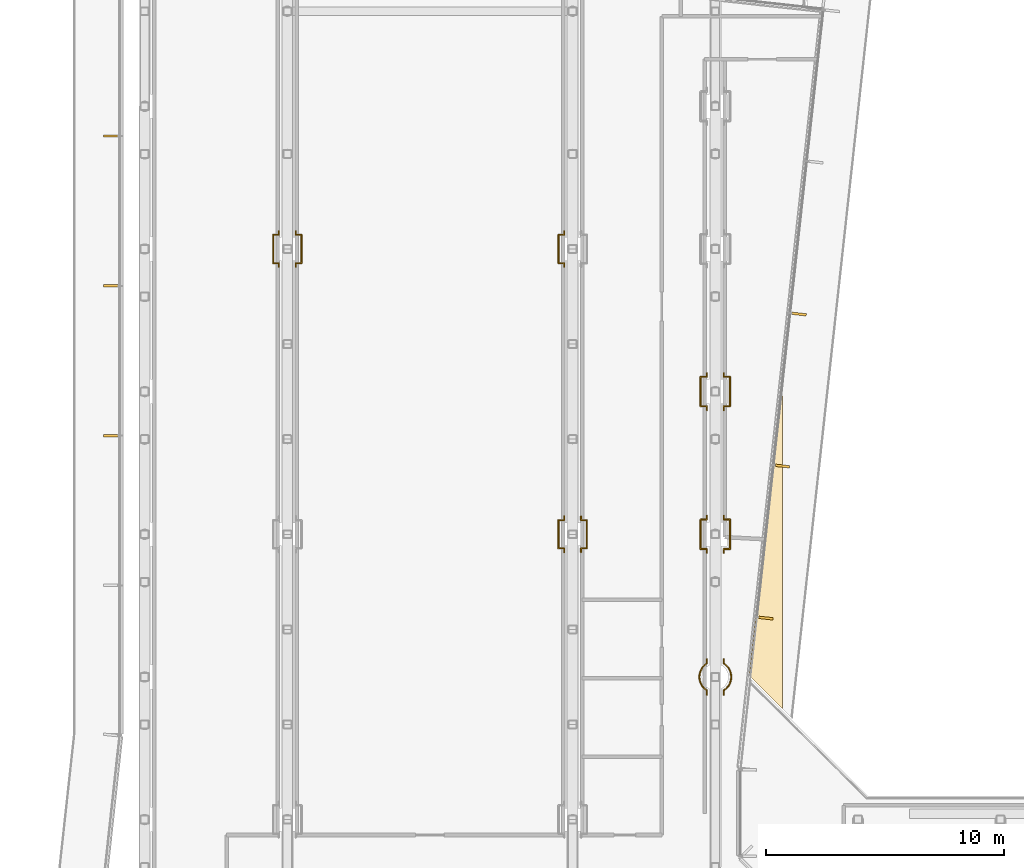
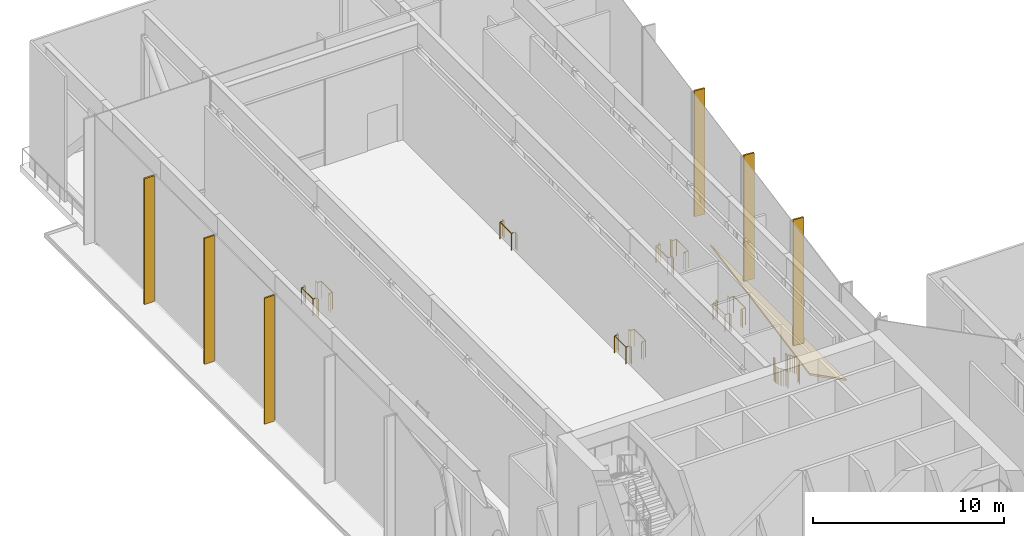
# One storey, part 22 of 24: 11 railings, 7 coverings.
"""IFC4 building model written with IfcOpenShell, lengths in metres."""

import ifcopenshell
import ifcopenshell.guid

model = None  # the IFC model being written
_history = None  # IfcOwnerHistory: only IFC2X3 demands one
_inside = {}  # id of a spatial element -> (the spatial element, [elements in it])
_under = {}  # id of a project, library or spatial element -> (it, [spatial elements below it])
_declared = {}  # id of a project -> (the project, [libraries it declares])
_typed = {}  # id of a type object -> (the type object, [elements of that type])
_made_of = {}  # id of a material, layer set ... -> (it, [elements and type objects made of it])


def new_model(schema):
    """Start an empty IFC model of exactly this schema.

    Asked for "IFC4X3", IfcOpenShell would pick the latest addendum, in which some entities
    have other attributes; the version numbers below select the first issue.
    IFC2X3 requires an IfcOwnerHistory on every rooted entity: one is made here for all.
    """
    global model, _history
    if schema == "IFC4X3":
        model = ifcopenshell.file(schema_version=(4, 3, 0, 0))
    else:
        model = ifcopenshell.file(schema=schema)
    _inside.clear()
    _under.clear()
    _declared.clear()
    _typed.clear()
    _made_of.clear()
    _history = None
    if model.schema == "IFC2X3":
        org = make("IfcOrganization", Name="unknown")
        user = make(
            "IfcPersonAndOrganization",
            ThePerson=make("IfcPerson", FamilyName="unknown"),
            TheOrganization=org,
        )
        app = make(
            "IfcApplication",
            ApplicationDeveloper=org,
            Version="unknown",
            ApplicationFullName="unknown",
            ApplicationIdentifier="unknown",
        )
        _history = make(
            "IfcOwnerHistory",
            OwningUser=user,
            OwningApplication=app,
            ChangeAction="ADDED",
            CreationDate=0,
        )
    return model


def make(cls, **values):
    """One entity of the class cls with the attributes given. An attribute that is None is left unset."""
    return model.create_entity(
        cls, **{name: value for name, value in values.items() if value is not None}
    )


def rooted(cls, **values):
    """An entity with a GlobalId (a new one), such as an element, a storey or a relation."""
    return make(cls, GlobalId=ifcopenshell.guid.new(), OwnerHistory=_history, **values)


def si_unit(unit_type, name, prefix=None):
    """IfcSIUnit, for example si_unit("LENGTHUNIT", "METRE", prefix="MILLI")."""
    return make("IfcSIUnit", UnitType=unit_type, Prefix=prefix, Name=name)


def assignment(units):
    """IfcUnitAssignment: the units of a project."""
    return None if units is None else make("IfcUnitAssignment", Units=units)


def point(xyz):
    """IfcCartesianPoint."""
    return None if xyz is None else make("IfcCartesianPoint", Coordinates=xyz)


def direction(xyz):
    """IfcDirection."""
    return None if xyz is None else make("IfcDirection", DirectionRatios=xyz)


def frame(location, z_axis=None, x_axis=None):
    """IfcAxis2Placement3D, a coordinate frame: its origin and axes. An axis left out is left unset."""
    return make(
        "IfcAxis2Placement3D",
        Location=point(location),
        Axis=direction(z_axis),
        RefDirection=direction(x_axis),
    )


def frame_2d(location, x_axis=None):
    """IfcAxis2Placement2D, a coordinate frame in the plane: its origin and x axis."""
    return make(
        "IfcAxis2Placement2D", Location=point(location), RefDirection=direction(x_axis)
    )


def origin():
    """The frame at (0, 0, 0) with its axes left unset."""
    return frame((0.0, 0.0, 0.0))


def origin_2d():
    """The frame at (0, 0) in the plane with its x axis left unset."""
    return frame_2d((0.0, 0.0))


def place(relative_to, where):
    """IfcLocalPlacement: puts the frame where relative to a parent placement (None: the world)."""
    return make(
        "IfcLocalPlacement", PlacementRelTo=relative_to, RelativePlacement=where
    )


def context(
    kind, dimensions, precision=None, world=None, true_north=None, identifier=None
):
    """IfcGeometricRepresentationContext, for example the 3D "Model" context."""
    return make(
        "IfcGeometricRepresentationContext",
        ContextIdentifier=identifier,
        ContextType=kind,
        CoordinateSpaceDimension=dimensions,
        Precision=precision,
        WorldCoordinateSystem=world,
        TrueNorth=true_north,
    )


def subcontext(parent, identifier, kind, view, scale=None):
    """IfcGeometricRepresentationSubContext, for example "Body" below "Model"."""
    return make(
        "IfcGeometricRepresentationSubContext",
        ContextIdentifier=identifier,
        ContextType=kind,
        ParentContext=parent,
        TargetScale=scale,
        TargetView=view,
    )


def project(units=None, contexts=None):
    """IfcProject with its units and contexts."""
    return rooted(
        "IfcProject",
        Name="project",
        RepresentationContexts=contexts,
        UnitsInContext=assignment(units),
    )


def spatial(cls, under=None, at=None, **own):
    """A site, building, storey or space (cls), placed at a placement, below another one or the project."""
    s = rooted(cls, ObjectPlacement=at, **own)
    if under is not None:
        _under.setdefault(under.id(), (under, []))[1].append(s)
    return s


def polyline(points):
    """IfcPolyline through the points."""
    return make("IfcPolyline", Points=[point(p) for p in points])


def profile(cls, at=None, kind="AREA", **sizes):
    """A parametric profile (cls). Its sizes go by their IFC names, for example OverallWidth=200.0."""
    return make(cls, ProfileType=kind, Position=at, **sizes)


def rectangle(**sizes):
    """IfcRectangleProfileDef."""
    return profile("IfcRectangleProfileDef", **sizes)


def circle(**sizes):
    """IfcCircleProfileDef."""
    return profile("IfcCircleProfileDef", **sizes)


def outline(outer, holes=None, kind="AREA"):
    """IfcArbitraryClosedProfileDef: a profile drawn as a closed curve; with holes, ...WithVoids."""
    if holes is None:
        return make("IfcArbitraryClosedProfileDef", ProfileType=kind, OuterCurve=outer)
    return make(
        "IfcArbitraryProfileDefWithVoids",
        ProfileType=kind,
        OuterCurve=outer,
        InnerCurves=holes,
    )


def extrude(swept, where, along, depth):
    """IfcExtrudedAreaSolid: the profile swept, set in the frame where, extruded along a direction by depth."""
    return make(
        "IfcExtrudedAreaSolid",
        SweptArea=swept,
        Position=where,
        ExtrudedDirection=direction(along),
        Depth=depth,
    )


def shape(context_of_items, identifier, shape_type, items):
    """IfcShapeRepresentation: the items that make up one representation, for example the "Body"."""
    return make(
        "IfcShapeRepresentation",
        ContextOfItems=context_of_items,
        RepresentationIdentifier=identifier,
        RepresentationType=shape_type,
        Items=items,
    )


def material(Name=None, Category=None):
    """IfcMaterial."""
    return make("IfcMaterial", Name=Name, Category=Category)


def layer(
    of_material, thickness, ventilated=None, Name=None, Category=None, Priority=None
):
    """IfcMaterialLayer: one layer of a wall or slab, of a material (None: an air gap)."""
    return make(
        "IfcMaterialLayer",
        Material=of_material,
        LayerThickness=thickness,
        IsVentilated=ventilated,
        Name=Name,
        Category=Category,
        Priority=Priority,
    )


def layer_set(layers, Name=None):
    """IfcMaterialLayerSet."""
    return make("IfcMaterialLayerSet", MaterialLayers=layers, LayerSetName=Name)


def made_of(thing, what):
    """Note that an element or type object is made of a material, layer set ...; save() writes the relation."""
    if what is not None:
        _made_of.setdefault(what.id(), (what, []))[1].append(thing)
    return thing


def type_object(cls, material=None, **own):
    """A type object (cls), such as IfcWallType, which elements share."""
    return made_of(rooted(cls, **own), material)


def element(
    cls,
    number,
    at=None,
    inside=None,
    cuts=None,
    type_object=None,
    material=None,
    context=None,
    identifier="Body",
    shape_type=None,
    held_by="IfcProductDefinitionShape",
    body=None,
    shapes=None,
    **own,
):
    """One element of the class cls, such as IfcWall. Its Tag is "e" and its number.

    at: its placement. inside: the storey or other place that contains it. cuts: it is an
    opening in that element (IfcRelVoidsElement). A single representation is given by context,
    identifier, shape_type and body (its items); several are given by shapes. held_by: the class
    of the entity that holds the representations. save() writes the other relations.
    """
    e = rooted(cls, Tag="e%d" % number, ObjectPlacement=at, **own)
    if body is not None:
        shapes = [shape(context, identifier, shape_type, body)]
    if shapes is not None:
        e.Representation = make(held_by, Representations=shapes)
    if inside is not None:
        _inside.setdefault(inside.id(), (inside, []))[1].append(e)
    if cuts is not None:
        rooted(
            "IfcRelVoidsElement", RelatingBuildingElement=cuts, RelatedOpeningElement=e
        )
    if type_object is not None:
        _typed.setdefault(type_object.id(), (type_object, []))[1].append(e)
    return made_of(e, material)


def aggregate(whole, parts):
    """IfcRelAggregates: a whole, such as a stair, and the parts it consists of."""
    return rooted("IfcRelAggregates", RelatingObject=whole, RelatedObjects=parts)


def save(model, path):
    """Write the relations noted so far, then the file.

    IfcRelAggregates (storeys below a building ...), IfcRelContainedInSpatialStructure (elements
    in a storey), IfcRelDefinesByType, IfcRelAssociatesMaterial and IfcRelDeclares: one each for
    every whole, place, type object, material and project.
    """
    for whole, parts in _under.values():
        aggregate(whole, parts)
    for where, things in _inside.values():
        rooted(
            "IfcRelContainedInSpatialStructure",
            RelatedElements=things,
            RelatingStructure=where,
        )
    for kind, things in _typed.values():
        rooted("IfcRelDefinesByType", RelatedObjects=things, RelatingType=kind)
    for what, things in _made_of.values():
        rooted("IfcRelAssociatesMaterial", RelatedObjects=things, RelatingMaterial=what)
    for by, libraries in _declared.values():
        rooted("IfcRelDeclares", RelatingContext=by, RelatedDefinitions=libraries)
    model.write(path)


model = new_model("IFC4")

# Units and contexts
model_context = context("Model", 3, precision=1e-05, world=origin(), true_north=direction((0.0, 1.0)))
body_context = subcontext(model_context, "Body", "Model", "MODEL_VIEW")
ifc_project = project(units=[si_unit("LENGTHUNIT", "METRE"), si_unit("AREAUNIT", "SQUARE_METRE"), si_unit("VOLUMEUNIT", "CUBIC_METRE"), si_unit("PLANEANGLEUNIT", "RADIAN"), si_unit("MASSUNIT", "GRAM", prefix="KILO")], contexts=[model_context])

# Site, building, storey
site_placement = place(None, origin())
site = spatial("IfcSite", under=ifc_project, at=site_placement, CompositionType="ELEMENT")
building_placement = place(site_placement, origin())
building = spatial("IfcBuilding", under=site, at=building_placement, Name="Welwitschia Terrace Campus", CompositionType="ELEMENT")
storey_placement = place(building_placement, frame((0.0, 0.0, 138.199951171875)))
storey = spatial("IfcBuildingStorey", under=building, at=storey_placement, Name="L31", CompositionType="ELEMENT", Elevation=138.199951171875)

# Coverings
ifc_material_1 = material(Name="Bronze anodised aluminium", Category="aluminium")
ifc_layer_1 = layer(ifc_material_1, 0.10009765625)
ifc_layer_set_1 = layer_set([ifc_layer_1], Name="Bronze anodised aluminium")
covering_type_1 = type_object("IfcCoveringType", Name="Bronze fin 100x600", PredefinedType="USERDEFINED", material=ifc_layer_set_1)
for number, where, z_axis, x_axis, name in (
    (1, (26.1279296875, 36.474853515625, 0.0), (0.0, 0.0, 1.0), (0.108866874852, 0.994056338222, 0.0), "Fin L31.10.1"),
    (2, (26.827880859375, 42.867919921875, 0.0), (0.0, 0.0, 1.0), (0.108866874852, 0.994056338222, 0.0), "Fin L31.10.2"),
    (3, (27.5283203125, 49.2607421875, 0.0), (0.0, 0.0, 1.0), (0.108866874852, 0.994056338222, 0.0), "Fin L31.10.3"),
    (4, (-1.429931640625, 56.749755859375, 0.0), (0.0, 0.0, 1.0), (0.0, -1.0, 0.0), "Fin L31.13.1"),
    (5, (-1.429931640625, 50.44921875, 0.0), (0.0, 0.0, 1.0), (0.0, -1.0, 0.0), "Fin L31.13.2"),
    (6, (-1.429931640625, 44.14892578125, 0.0), (0.0, 0.0, 1.0), (0.0, -1.0, 0.0), "Fin L31.13.3"),
):
    element("IfcCovering", number, at=place(storey_placement, frame(where, z_axis=z_axis, x_axis=x_axis)), inside=storey, type_object=covering_type_1, Name=name, ObjectType="FIN", PredefinedType="USERDEFINED", context=body_context, shape_type="SweptSolid", body=[
        extrude(rectangle(XDim=0.10009765625, YDim=0.60009765625, at=origin_2d()), origin(), (0.0, 0.0, 1.0), 8.050048828125),
    ])

# Railings
ifc_material_2 = material(Name="Stainless steel grade 316", Category="steel")
railing_type = type_object("IfcRailingType", Name="Guard 1100", PredefinedType="GUARDRAIL", material=ifc_material_2)
railing_1_placement = place(storey_placement, frame((23.64501953125, 34.748291015625, 0.0)))
element("IfcRailing", 7, at=railing_1_placement, inside=storey, type_object=railing_type, Name="Guard floor edge L31.10", PredefinedType="GUARDRAIL", context=body_context, shape_type="SweptSolid", body=[
    extrude(circle(Radius=0.02392578125, at=origin_2d()), frame((0.0, 0.0, 1.076171875), z_axis=(0.0, -1.0, 0.0), x_axis=(1.0, 0.0, 0.0)), (0.0, 0.0, 1.0), 0.181396484375),
    extrude(circle(Radius=0.02392578125, at=origin_2d()), frame((0.0, -0.181396484375, 1.076171875), z_axis=(-0.884384752847, -0.466758619558, 0.0), x_axis=(0.466758619558, -0.884384752847, 0.0)), (0.0, 0.0, 1.0), 0.019775390625),
    extrude(circle(Radius=0.02392578125, at=origin_2d()), frame((-0.017578125, -0.190673828125, 1.076171875), z_axis=(-0.772465970518, -0.635056158455, 0.0), x_axis=(0.635056158455, -0.772465970518, 0.0)), (0.0, 0.0, 1.0), 0.131591796875),
    extrude(circle(Radius=0.02392578125, at=origin_2d()), frame((-0.119140625, -0.274169921875, 1.076171875), z_axis=(-0.635056158455, -0.772465970518, 0.0), x_axis=(0.772465970518, -0.635056158455, 0.0)), (0.0, 0.0, 1.0), 0.131591796875),
    extrude(circle(Radius=0.02392578125, at=origin_2d()), frame((-0.20263671875, -0.375732421875, 1.076171875), z_axis=(-0.470105952313, -0.88260998952, 0.0), x_axis=(0.88260998952, -0.470105952313, 0.0)), (0.0, 0.0, 1.0), 0.13134765625),
    extrude(circle(Radius=0.02392578125, at=origin_2d()), frame((-0.264404296875, -0.49169921875, 1.076171875), z_axis=(-0.291605036501, -0.956538813999, 0.0), x_axis=(0.956538813999, -0.291605036501, 0.0)), (0.0, 0.0, 1.0), 0.13134765625),
    extrude(circle(Radius=0.02392578125, at=origin_2d()), frame((-0.302734375, -0.617431640625, 1.076171875), z_axis=(-0.098400716923, -0.995146873034, 0.0), x_axis=(0.995146873034, -0.098400716923, 0.0)), (0.0, 0.0, 1.0), 0.131591796875),
    extrude(circle(Radius=0.02392578125, at=origin_2d()), frame((-0.315673828125, -0.748291015625, 1.076171875), z_axis=(0.098400716923, -0.995146873034, 0.0), x_axis=(0.995146873034, 0.098400716923, 0.0)), (0.0, 0.0, 1.0), 0.131591796875),
    extrude(circle(Radius=0.02392578125, at=origin_2d()), frame((-0.302734375, -0.879150390625, 1.076171875), z_axis=(0.291605036501, -0.956538813999, 0.0), x_axis=(0.956538813999, 0.291605036501, 0.0)), (0.0, 0.0, 1.0), 0.13134765625),
    extrude(circle(Radius=0.02392578125, at=origin_2d()), frame((-0.264404296875, -1.0048828125, 1.076171875), z_axis=(0.470105952313, -0.88260998952, 0.0), x_axis=(0.88260998952, 0.470105952313, 0.0)), (0.0, 0.0, 1.0), 0.13134765625),
    extrude(circle(Radius=0.02392578125, at=origin_2d()), frame((-0.20263671875, -1.120849609375, 1.076171875), z_axis=(0.635056158455, -0.772465970518, 0.0), x_axis=(0.772465970518, 0.635056158455, 0.0)), (0.0, 0.0, 1.0), 0.131591796875),
    extrude(circle(Radius=0.02392578125, at=origin_2d()), frame((-0.119140625, -1.222412109375, 1.076171875), z_axis=(0.772465970518, -0.635056158455, 0.0), x_axis=(0.635056158455, 0.772465970518, 0.0)), (0.0, 0.0, 1.0), 0.131591796875),
    extrude(circle(Radius=0.02392578125, at=origin_2d()), frame((-0.017578125, -1.305908203125, 1.076171875), z_axis=(0.884384752847, -0.466758619558, 0.0), x_axis=(0.466758619558, 0.884384752847, 0.0)), (0.0, 0.0, 1.0), 0.019775390625),
    extrude(circle(Radius=0.02392578125, at=origin_2d()), frame((0.0, -1.315185546875, 1.076171875), z_axis=(0.0, -1.0, 0.0), x_axis=(1.0, 0.0, 0.0)), (0.0, 0.0, 1.0), 0.181396484375),
    extrude(circle(Radius=0.02099609375, at=origin_2d()), origin(), (0.0, 0.0, 1.0), 1.052001953125),
    extrude(circle(Radius=0.02099609375, at=origin_2d()), frame((0.0, -0.181396484375, 0.0)), (0.0, 0.0, 1.0), 1.052001953125),
    extrude(circle(Radius=0.02099609375, at=origin_2d()), frame((-0.017578125, -0.190673828125, 0.0)), (0.0, 0.0, 1.0), 1.052001953125),
    extrude(circle(Radius=0.02099609375, at=origin_2d()), frame((-0.119140625, -0.274169921875, 0.0)), (0.0, 0.0, 1.0), 1.052001953125),
    extrude(circle(Radius=0.02099609375, at=origin_2d()), frame((-0.20263671875, -0.375732421875, 0.0)), (0.0, 0.0, 1.0), 1.052001953125),
    extrude(circle(Radius=0.02099609375, at=origin_2d()), frame((-0.264404296875, -0.49169921875, 0.0)), (0.0, 0.0, 1.0), 1.052001953125),
    extrude(circle(Radius=0.02099609375, at=origin_2d()), frame((-0.302734375, -0.617431640625, 0.0)), (0.0, 0.0, 1.0), 1.052001953125),
    extrude(circle(Radius=0.02099609375, at=origin_2d()), frame((-0.315673828125, -0.748291015625, 0.0)), (0.0, 0.0, 1.0), 1.052001953125),
    extrude(circle(Radius=0.02099609375, at=origin_2d()), frame((-0.302734375, -0.879150390625, 0.0)), (0.0, 0.0, 1.0), 1.052001953125),
    extrude(circle(Radius=0.02099609375, at=origin_2d()), frame((-0.264404296875, -1.0048828125, 0.0)), (0.0, 0.0, 1.0), 1.052001953125),
    extrude(circle(Radius=0.02099609375, at=origin_2d()), frame((-0.20263671875, -1.120849609375, 0.0)), (0.0, 0.0, 1.0), 1.052001953125),
    extrude(circle(Radius=0.02099609375, at=origin_2d()), frame((-0.119140625, -1.222412109375, 0.0)), (0.0, 0.0, 1.0), 1.052001953125),
    extrude(circle(Radius=0.02099609375, at=origin_2d()), frame((-0.017578125, -1.305908203125, 0.0)), (0.0, 0.0, 1.0), 1.052001953125),
    extrude(circle(Radius=0.02099609375, at=origin_2d()), frame((0.0, -1.315185546875, 0.0)), (0.0, 0.0, 1.0), 1.052001953125),
    extrude(circle(Radius=0.02099609375, at=origin_2d()), frame((0.0, -1.49658203125, 0.0)), (0.0, 0.0, 1.0), 1.052001953125),
])
railing_2_placement = place(storey_placement, frame((24.35498046875, 33.251708984375, 0.0)))
element("IfcRailing", 8, at=railing_2_placement, inside=storey, type_object=railing_type, Name="Guard floor edge L31.11", PredefinedType="GUARDRAIL", context=body_context, shape_type="SweptSolid", body=[
    extrude(circle(Radius=0.02392578125, at=origin_2d()), frame((0.0, 0.0, 1.076171875), z_axis=(0.0, 1.0, 0.0), x_axis=(-1.0, 0.0, 0.0)), (0.0, 0.0, 1.0), 0.181396484375),
    extrude(circle(Radius=0.02392578125, at=origin_2d()), frame((0.0, 0.181396484375, 1.076171875), z_axis=(0.884384752847, 0.466758619558, 0.0), x_axis=(-0.466758619558, 0.884384752847, 0.0)), (0.0, 0.0, 1.0), 0.019775390625),
    extrude(circle(Radius=0.02392578125, at=origin_2d()), frame((0.017578125, 0.190673828125, 1.076171875), z_axis=(0.772465970518, 0.635056158455, 0.0), x_axis=(-0.635056158455, 0.772465970518, 0.0)), (0.0, 0.0, 1.0), 0.131591796875),
    extrude(circle(Radius=0.02392578125, at=origin_2d()), frame((0.119140625, 0.274169921875, 1.076171875), z_axis=(0.635056158455, 0.772465970518, 0.0), x_axis=(-0.772465970518, 0.635056158455, 0.0)), (0.0, 0.0, 1.0), 0.131591796875),
    extrude(circle(Radius=0.02392578125, at=origin_2d()), frame((0.20263671875, 0.375732421875, 1.076171875), z_axis=(0.470105952313, 0.88260998952, 0.0), x_axis=(-0.88260998952, 0.470105952313, 0.0)), (0.0, 0.0, 1.0), 0.13134765625),
    extrude(circle(Radius=0.02392578125, at=origin_2d()), frame((0.264404296875, 0.49169921875, 1.076171875), z_axis=(0.291605036501, 0.956538813999, 0.0), x_axis=(-0.956538813999, 0.291605036501, 0.0)), (0.0, 0.0, 1.0), 0.13134765625),
    extrude(circle(Radius=0.02392578125, at=origin_2d()), frame((0.302734375, 0.617431640625, 1.076171875), z_axis=(0.098400716923, 0.995146873034, 0.0), x_axis=(-0.995146873034, 0.098400716923, 0.0)), (0.0, 0.0, 1.0), 0.131591796875),
    extrude(circle(Radius=0.02392578125, at=origin_2d()), frame((0.315673828125, 0.748291015625, 1.076171875), z_axis=(-0.098400716923, 0.995146873034, 0.0), x_axis=(-0.995146873034, -0.098400716923, 0.0)), (0.0, 0.0, 1.0), 0.131591796875),
    extrude(circle(Radius=0.02392578125, at=origin_2d()), frame((0.302734375, 0.879150390625, 1.076171875), z_axis=(-0.291605036501, 0.956538813999, 0.0), x_axis=(-0.956538813999, -0.291605036501, 0.0)), (0.0, 0.0, 1.0), 0.13134765625),
    extrude(circle(Radius=0.02392578125, at=origin_2d()), frame((0.264404296875, 1.0048828125, 1.076171875), z_axis=(-0.470105952313, 0.88260998952, 0.0), x_axis=(-0.88260998952, -0.470105952313, 0.0)), (0.0, 0.0, 1.0), 0.13134765625),
    extrude(circle(Radius=0.02392578125, at=origin_2d()), frame((0.20263671875, 1.120849609375, 1.076171875), z_axis=(-0.635056158455, 0.772465970518, 0.0), x_axis=(-0.772465970518, -0.635056158455, 0.0)), (0.0, 0.0, 1.0), 0.131591796875),
    extrude(circle(Radius=0.02392578125, at=origin_2d()), frame((0.119140625, 1.222412109375, 1.076171875), z_axis=(-0.772465970518, 0.635056158455, 0.0), x_axis=(-0.635056158455, -0.772465970518, 0.0)), (0.0, 0.0, 1.0), 0.131591796875),
    extrude(circle(Radius=0.02392578125, at=origin_2d()), frame((0.017578125, 1.305908203125, 1.076171875), z_axis=(-0.884384752847, 0.466758619558, 0.0), x_axis=(-0.466758619558, -0.884384752847, 0.0)), (0.0, 0.0, 1.0), 0.019775390625),
    extrude(circle(Radius=0.02392578125, at=origin_2d()), frame((0.0, 1.315185546875, 1.076171875), z_axis=(0.0, 1.0, 0.0), x_axis=(-1.0, 0.0, 0.0)), (0.0, 0.0, 1.0), 0.181396484375),
    extrude(circle(Radius=0.02099609375, at=origin_2d()), origin(), (0.0, 0.0, 1.0), 1.052001953125),
    extrude(circle(Radius=0.02099609375, at=origin_2d()), frame((0.0, 0.181396484375, 0.0)), (0.0, 0.0, 1.0), 1.052001953125),
    extrude(circle(Radius=0.02099609375, at=origin_2d()), frame((0.017578125, 0.190673828125, 0.0)), (0.0, 0.0, 1.0), 1.052001953125),
    extrude(circle(Radius=0.02099609375, at=origin_2d()), frame((0.119140625, 0.274169921875, 0.0)), (0.0, 0.0, 1.0), 1.052001953125),
    extrude(circle(Radius=0.02099609375, at=origin_2d()), frame((0.20263671875, 0.375732421875, 0.0)), (0.0, 0.0, 1.0), 1.052001953125),
    extrude(circle(Radius=0.02099609375, at=origin_2d()), frame((0.264404296875, 0.49169921875, 0.0)), (0.0, 0.0, 1.0), 1.052001953125),
    extrude(circle(Radius=0.02099609375, at=origin_2d()), frame((0.302734375, 0.617431640625, 0.0)), (0.0, 0.0, 1.0), 1.052001953125),
    extrude(circle(Radius=0.02099609375, at=origin_2d()), frame((0.315673828125, 0.748291015625, 0.0)), (0.0, 0.0, 1.0), 1.052001953125),
    extrude(circle(Radius=0.02099609375, at=origin_2d()), frame((0.302734375, 0.879150390625, 0.0)), (0.0, 0.0, 1.0), 1.052001953125),
    extrude(circle(Radius=0.02099609375, at=origin_2d()), frame((0.264404296875, 1.0048828125, 0.0)), (0.0, 0.0, 1.0), 1.052001953125),
    extrude(circle(Radius=0.02099609375, at=origin_2d()), frame((0.20263671875, 1.120849609375, 0.0)), (0.0, 0.0, 1.0), 1.052001953125),
    extrude(circle(Radius=0.02099609375, at=origin_2d()), frame((0.119140625, 1.222412109375, 0.0)), (0.0, 0.0, 1.0), 1.052001953125),
    extrude(circle(Radius=0.02099609375, at=origin_2d()), frame((0.017578125, 1.305908203125, 0.0)), (0.0, 0.0, 1.0), 1.052001953125),
    extrude(circle(Radius=0.02099609375, at=origin_2d()), frame((0.0, 1.315185546875, 0.0)), (0.0, 0.0, 1.0), 1.052001953125),
    extrude(circle(Radius=0.02099609375, at=origin_2d()), frame((0.0, 1.49658203125, 0.0)), (0.0, 0.0, 1.0), 1.052001953125),
])
railing_3_placement = place(storey_placement, frame((23.64501953125, 46.780029296875, 0.0)))
element("IfcRailing", 9, at=railing_3_placement, inside=storey, type_object=railing_type, Name="Guard floor edge L31.12", PredefinedType="GUARDRAIL", context=body_context, shape_type="SweptSolid", body=[
    extrude(circle(Radius=0.02392578125, at=origin_2d()), frame((0.0, 0.0, 1.076171875), z_axis=(0.0, -1.0, 0.0), x_axis=(1.0, 0.0, 0.0)), (0.0, 0.0, 1.0), 0.159912109375),
    extrude(circle(Radius=0.02392578125, at=origin_2d()), frame((0.0, -0.159912109375, 1.076171875), z_axis=(-1.0, 0.0, 0.0), x_axis=(0.0, -1.0, 0.0)), (0.0, 0.0, 1.0), 0.26513671875),
    extrude(circle(Radius=0.02392578125, at=origin_2d()), frame((-0.26513671875, -0.159912109375, 1.076171875), z_axis=(0.0, -1.0, 0.0), x_axis=(1.0, 0.0, 0.0)), (0.0, 0.0, 1.0), 1.240234375),
    extrude(circle(Radius=0.02392578125, at=origin_2d()), frame((-0.26513671875, -1.400146484375, 1.076171875), z_axis=(1.0, 0.0, 0.0), x_axis=(0.0, 1.0, 0.0)), (0.0, 0.0, 1.0), 0.26513671875),
    extrude(circle(Radius=0.02392578125, at=origin_2d()), frame((0.0, -1.400146484375, 1.076171875), z_axis=(0.0, -1.0, 0.0), x_axis=(1.0, 0.0, 0.0)), (0.0, 0.0, 1.0), 0.159912109375),
    extrude(circle(Radius=0.02099609375, at=origin_2d()), origin(), (0.0, 0.0, 1.0), 1.052001953125),
    extrude(circle(Radius=0.02099609375, at=origin_2d()), frame((0.0, -0.159912109375, 0.0)), (0.0, 0.0, 1.0), 1.052001953125),
    extrude(circle(Radius=0.02099609375, at=origin_2d()), frame((-0.26513671875, -0.159912109375, 0.0)), (0.0, 0.0, 1.0), 1.052001953125),
    extrude(circle(Radius=0.02099609375, at=origin_2d()), frame((-0.26513671875, -1.400146484375, 0.0)), (0.0, 0.0, 1.0), 1.052001953125),
    extrude(circle(Radius=0.02099609375, at=origin_2d()), frame((0.0, -1.400146484375, 0.0)), (0.0, 0.0, 1.0), 1.052001953125),
    extrude(circle(Radius=0.02099609375, at=origin_2d()), frame((0.0, -1.56005859375, 0.0)), (0.0, 0.0, 1.0), 1.052001953125),
])
railing_4_placement = place(storey_placement, frame((24.35498046875, 45.219970703125, 0.0)))
element("IfcRailing", 10, at=railing_4_placement, inside=storey, type_object=railing_type, Name="Guard floor edge L31.13", PredefinedType="GUARDRAIL", context=body_context, shape_type="SweptSolid", body=[
    extrude(circle(Radius=0.02392578125, at=origin_2d()), frame((0.0, 0.0, 1.076171875), z_axis=(0.0, 1.0, 0.0), x_axis=(-1.0, 0.0, 0.0)), (0.0, 0.0, 1.0), 0.159912109375),
    extrude(circle(Radius=0.02392578125, at=origin_2d()), frame((0.0, 0.159912109375, 1.076171875), z_axis=(1.0, 0.0, 0.0), x_axis=(0.0, 1.0, 0.0)), (0.0, 0.0, 1.0), 0.26513671875),
    extrude(circle(Radius=0.02392578125, at=origin_2d()), frame((0.26513671875, 0.159912109375, 1.076171875), z_axis=(0.0, 1.0, 0.0), x_axis=(-1.0, 0.0, 0.0)), (0.0, 0.0, 1.0), 1.240234375),
    extrude(circle(Radius=0.02392578125, at=origin_2d()), frame((0.26513671875, 1.400146484375, 1.076171875), z_axis=(-1.0, 0.0, 0.0), x_axis=(0.0, -1.0, 0.0)), (0.0, 0.0, 1.0), 0.26513671875),
    extrude(circle(Radius=0.02392578125, at=origin_2d()), frame((0.0, 1.400146484375, 1.076171875), z_axis=(0.0, 1.0, 0.0), x_axis=(-1.0, 0.0, 0.0)), (0.0, 0.0, 1.0), 0.159912109375),
    extrude(circle(Radius=0.02099609375, at=origin_2d()), origin(), (0.0, 0.0, 1.0), 1.052001953125),
    extrude(circle(Radius=0.02099609375, at=origin_2d()), frame((0.0, 0.159912109375, 0.0)), (0.0, 0.0, 1.0), 1.052001953125),
    extrude(circle(Radius=0.02099609375, at=origin_2d()), frame((0.26513671875, 0.159912109375, 0.0)), (0.0, 0.0, 1.0), 1.052001953125),
    extrude(circle(Radius=0.02099609375, at=origin_2d()), frame((0.26513671875, 1.400146484375, 0.0)), (0.0, 0.0, 1.0), 1.052001953125),
    extrude(circle(Radius=0.02099609375, at=origin_2d()), frame((0.0, 1.400146484375, 0.0)), (0.0, 0.0, 1.0), 1.052001953125),
    extrude(circle(Radius=0.02099609375, at=origin_2d()), frame((0.0, 1.56005859375, 0.0)), (0.0, 0.0, 1.0), 1.052001953125),
])
railing_5_placement = place(storey_placement, frame((23.64501953125, 40.780029296875, 0.0)))
element("IfcRailing", 11, at=railing_5_placement, inside=storey, type_object=railing_type, Name="Guard floor edge L31.18", PredefinedType="GUARDRAIL", context=body_context, shape_type="SweptSolid", body=[
    extrude(circle(Radius=0.02392578125, at=origin_2d()), frame((0.0, 0.0, 1.076171875), z_axis=(0.0, -1.0, 0.0), x_axis=(1.0, 0.0, 0.0)), (0.0, 0.0, 1.0), 0.159912109375),
    extrude(circle(Radius=0.02392578125, at=origin_2d()), frame((0.0, -0.159912109375, 1.076171875), z_axis=(-1.0, 0.0, 0.0), x_axis=(0.0, -1.0, 0.0)), (0.0, 0.0, 1.0), 0.26513671875),
    extrude(circle(Radius=0.02392578125, at=origin_2d()), frame((-0.26513671875, -0.159912109375, 1.076171875), z_axis=(0.0, -1.0, 0.0), x_axis=(1.0, 0.0, 0.0)), (0.0, 0.0, 1.0), 1.240234375),
    extrude(circle(Radius=0.02392578125, at=origin_2d()), frame((-0.26513671875, -1.400146484375, 1.076171875), z_axis=(1.0, 0.0, 0.0), x_axis=(0.0, 1.0, 0.0)), (0.0, 0.0, 1.0), 0.26513671875),
    extrude(circle(Radius=0.02392578125, at=origin_2d()), frame((0.0, -1.400146484375, 1.076171875), z_axis=(0.0, -1.0, 0.0), x_axis=(1.0, 0.0, 0.0)), (0.0, 0.0, 1.0), 0.159912109375),
    extrude(circle(Radius=0.02099609375, at=origin_2d()), origin(), (0.0, 0.0, 1.0), 1.052001953125),
    extrude(circle(Radius=0.02099609375, at=origin_2d()), frame((0.0, -0.159912109375, 0.0)), (0.0, 0.0, 1.0), 1.052001953125),
    extrude(circle(Radius=0.02099609375, at=origin_2d()), frame((-0.26513671875, -0.159912109375, 0.0)), (0.0, 0.0, 1.0), 1.052001953125),
    extrude(circle(Radius=0.02099609375, at=origin_2d()), frame((-0.26513671875, -1.400146484375, 0.0)), (0.0, 0.0, 1.0), 1.052001953125),
    extrude(circle(Radius=0.02099609375, at=origin_2d()), frame((0.0, -1.400146484375, 0.0)), (0.0, 0.0, 1.0), 1.052001953125),
    extrude(circle(Radius=0.02099609375, at=origin_2d()), frame((0.0, -1.56005859375, 0.0)), (0.0, 0.0, 1.0), 1.052001953125),
])
railing_6_placement = place(storey_placement, frame((24.35498046875, 39.219970703125, 0.0)))
element("IfcRailing", 12, at=railing_6_placement, inside=storey, type_object=railing_type, Name="Guard floor edge L31.19", PredefinedType="GUARDRAIL", context=body_context, shape_type="SweptSolid", body=[
    extrude(circle(Radius=0.02392578125, at=origin_2d()), frame((0.0, 0.0, 1.076171875), z_axis=(0.0, 1.0, 0.0), x_axis=(-1.0, 0.0, 0.0)), (0.0, 0.0, 1.0), 0.159912109375),
    extrude(circle(Radius=0.02392578125, at=origin_2d()), frame((0.0, 0.159912109375, 1.076171875), z_axis=(1.0, 0.0, 0.0), x_axis=(0.0, 1.0, 0.0)), (0.0, 0.0, 1.0), 0.26513671875),
    extrude(circle(Radius=0.02392578125, at=origin_2d()), frame((0.26513671875, 0.159912109375, 1.076171875), z_axis=(0.0, 1.0, 0.0), x_axis=(-1.0, 0.0, 0.0)), (0.0, 0.0, 1.0), 1.240234375),
    extrude(circle(Radius=0.02392578125, at=origin_2d()), frame((0.26513671875, 1.400146484375, 1.076171875), z_axis=(-1.0, 0.0, 0.0), x_axis=(0.0, -1.0, 0.0)), (0.0, 0.0, 1.0), 0.26513671875),
    extrude(circle(Radius=0.02392578125, at=origin_2d()), frame((0.0, 1.400146484375, 1.076171875), z_axis=(0.0, 1.0, 0.0), x_axis=(-1.0, 0.0, 0.0)), (0.0, 0.0, 1.0), 0.159912109375),
    extrude(circle(Radius=0.02099609375, at=origin_2d()), origin(), (0.0, 0.0, 1.0), 1.052001953125),
    extrude(circle(Radius=0.02099609375, at=origin_2d()), frame((0.0, 0.159912109375, 0.0)), (0.0, 0.0, 1.0), 1.052001953125),
    extrude(circle(Radius=0.02099609375, at=origin_2d()), frame((0.26513671875, 0.159912109375, 0.0)), (0.0, 0.0, 1.0), 1.052001953125),
    extrude(circle(Radius=0.02099609375, at=origin_2d()), frame((0.26513671875, 1.400146484375, 0.0)), (0.0, 0.0, 1.0), 1.052001953125),
    extrude(circle(Radius=0.02099609375, at=origin_2d()), frame((0.0, 1.400146484375, 0.0)), (0.0, 0.0, 1.0), 1.052001953125),
    extrude(circle(Radius=0.02099609375, at=origin_2d()), frame((0.0, 1.56005859375, 0.0)), (0.0, 0.0, 1.0), 1.052001953125),
])
railing_7_placement = place(storey_placement, frame((17.64501953125, 40.7548828125, 0.0)))
element("IfcRailing", 13, at=railing_7_placement, inside=storey, type_object=railing_type, Name="Guard floor edge L31.22", PredefinedType="GUARDRAIL", context=body_context, shape_type="SweptSolid", body=[
    extrude(circle(Radius=0.02392578125, at=origin_2d()), frame((0.0, 0.0, 1.076171875), z_axis=(0.0, -1.0, 0.0), x_axis=(1.0, 0.0, 0.0)), (0.0, 0.0, 1.0), 0.159912109375),
    extrude(circle(Radius=0.02392578125, at=origin_2d()), frame((0.0, -0.159912109375, 1.076171875), z_axis=(-1.0, 0.0, 0.0), x_axis=(0.0, -1.0, 0.0)), (0.0, 0.0, 1.0), 0.239990234375),
    extrude(circle(Radius=0.02392578125, at=origin_2d()), frame((-0.239990234375, -0.159912109375, 1.076171875), z_axis=(0.0, -1.0, 0.0), x_axis=(1.0, 0.0, 0.0)), (0.0, 0.0, 1.0), 1.18994140625),
    extrude(circle(Radius=0.02392578125, at=origin_2d()), frame((-0.239990234375, -1.349853515625, 1.076171875), z_axis=(1.0, 0.0, 0.0), x_axis=(0.0, 1.0, 0.0)), (0.0, 0.0, 1.0), 0.239990234375),
    extrude(circle(Radius=0.02392578125, at=origin_2d()), frame((0.0, -1.349853515625, 1.076171875), z_axis=(0.0, -1.0, 0.0), x_axis=(1.0, 0.0, 0.0)), (0.0, 0.0, 1.0), 0.159912109375),
    extrude(circle(Radius=0.02099609375, at=origin_2d()), origin(), (0.0, 0.0, 1.0), 1.052001953125),
    extrude(circle(Radius=0.02099609375, at=origin_2d()), frame((0.0, -0.159912109375, 0.0)), (0.0, 0.0, 1.0), 1.052001953125),
    extrude(circle(Radius=0.02099609375, at=origin_2d()), frame((-0.239990234375, -0.159912109375, 0.0)), (0.0, 0.0, 1.0), 1.052001953125),
    extrude(circle(Radius=0.02099609375, at=origin_2d()), frame((-0.239990234375, -1.349853515625, 0.0)), (0.0, 0.0, 1.0), 1.052001953125),
    extrude(circle(Radius=0.02099609375, at=origin_2d()), frame((0.0, -1.349853515625, 0.0)), (0.0, 0.0, 1.0), 1.052001953125),
    extrude(circle(Radius=0.02099609375, at=origin_2d()), frame((0.0, -1.509765625, 0.0)), (0.0, 0.0, 1.0), 1.052001953125),
])
railing_8_placement = place(storey_placement, frame((18.35498046875, 39.2451171875, 0.0)))
element("IfcRailing", 14, at=railing_8_placement, inside=storey, type_object=railing_type, Name="Guard floor edge L31.23", PredefinedType="GUARDRAIL", context=body_context, shape_type="SweptSolid", body=[
    extrude(circle(Radius=0.02392578125, at=origin_2d()), frame((0.0, 0.0, 1.076171875), z_axis=(0.0, 1.0, 0.0), x_axis=(-1.0, 0.0, 0.0)), (0.0, 0.0, 1.0), 0.159912109375),
    extrude(circle(Radius=0.02392578125, at=origin_2d()), frame((0.0, 0.159912109375, 1.076171875), z_axis=(1.0, 0.0, 0.0), x_axis=(0.0, 1.0, 0.0)), (0.0, 0.0, 1.0), 0.239990234375),
    extrude(circle(Radius=0.02392578125, at=origin_2d()), frame((0.239990234375, 0.159912109375, 1.076171875), z_axis=(0.0, 1.0, 0.0), x_axis=(-1.0, 0.0, 0.0)), (0.0, 0.0, 1.0), 1.18994140625),
    extrude(circle(Radius=0.02392578125, at=origin_2d()), frame((0.239990234375, 1.349853515625, 1.076171875), z_axis=(-1.0, 0.0, 0.0), x_axis=(0.0, -1.0, 0.0)), (0.0, 0.0, 1.0), 0.239990234375),
    extrude(circle(Radius=0.02392578125, at=origin_2d()), frame((0.0, 1.349853515625, 1.076171875), z_axis=(0.0, 1.0, 0.0), x_axis=(-1.0, 0.0, 0.0)), (0.0, 0.0, 1.0), 0.159912109375),
    extrude(circle(Radius=0.02099609375, at=origin_2d()), origin(), (0.0, 0.0, 1.0), 1.052001953125),
    extrude(circle(Radius=0.02099609375, at=origin_2d()), frame((0.0, 0.159912109375, 0.0)), (0.0, 0.0, 1.0), 1.052001953125),
    extrude(circle(Radius=0.02099609375, at=origin_2d()), frame((0.239990234375, 0.159912109375, 0.0)), (0.0, 0.0, 1.0), 1.052001953125),
    extrude(circle(Radius=0.02099609375, at=origin_2d()), frame((0.239990234375, 1.349853515625, 0.0)), (0.0, 0.0, 1.0), 1.052001953125),
    extrude(circle(Radius=0.02099609375, at=origin_2d()), frame((0.0, 1.349853515625, 0.0)), (0.0, 0.0, 1.0), 1.052001953125),
    extrude(circle(Radius=0.02099609375, at=origin_2d()), frame((0.0, 1.509765625, 0.0)), (0.0, 0.0, 1.0), 1.052001953125),
])
for number, where, name in (
    (15, (17.64501953125, 52.7548828125, 0.0), "Guard floor edge L31.24"),
    (16, (5.64501953125, 52.7548828125, 0.0), "Guard floor edge L31.32"),
):
    element("IfcRailing", number, at=place(storey_placement, frame(where)), inside=storey, type_object=railing_type, Name=name, PredefinedType="GUARDRAIL", context=body_context, shape_type="SweptSolid", body=[
        extrude(circle(Radius=0.02392578125, at=origin_2d()), frame((0.0, 0.0, 1.076171875), z_axis=(0.0, -1.0, 0.0), x_axis=(1.0, 0.0, 0.0)), (0.0, 0.0, 1.0), 0.159912109375),
        extrude(circle(Radius=0.02392578125, at=origin_2d()), frame((0.0, -0.159912109375, 1.076171875), z_axis=(-1.0, 0.0, 0.0), x_axis=(0.0, -1.0, 0.0)), (0.0, 0.0, 1.0), 0.239990234375),
        extrude(circle(Radius=0.02392578125, at=origin_2d()), frame((-0.239990234375, -0.159912109375, 1.076171875), z_axis=(0.0, -1.0, 0.0), x_axis=(1.0, 0.0, 0.0)), (0.0, 0.0, 1.0), 1.18994140625),
        extrude(circle(Radius=0.02392578125, at=origin_2d()), frame((-0.239990234375, -1.349853515625, 1.076171875), z_axis=(1.0, 0.0, 0.0), x_axis=(0.0, 1.0, 0.0)), (0.0, 0.0, 1.0), 0.239990234375),
        extrude(circle(Radius=0.02392578125, at=origin_2d()), frame((0.0, -1.349853515625, 1.076171875), z_axis=(0.0, -1.0, 0.0), x_axis=(1.0, 0.0, 0.0)), (0.0, 0.0, 1.0), 0.159912109375),
        extrude(circle(Radius=0.02099609375, at=origin_2d()), origin(), (0.0, 0.0, 1.0), 1.052001953125),
        extrude(circle(Radius=0.02099609375, at=origin_2d()), frame((0.0, -0.159912109375, 0.0)), (0.0, 0.0, 1.0), 1.052001953125),
        extrude(circle(Radius=0.02099609375, at=origin_2d()), frame((-0.239990234375, -0.159912109375, 0.0)), (0.0, 0.0, 1.0), 1.052001953125),
        extrude(circle(Radius=0.02099609375, at=origin_2d()), frame((-0.239990234375, -1.349853515625, 0.0)), (0.0, 0.0, 1.0), 1.052001953125),
        extrude(circle(Radius=0.02099609375, at=origin_2d()), frame((0.0, -1.349853515625, 0.0)), (0.0, 0.0, 1.0), 1.052001953125),
        extrude(circle(Radius=0.02099609375, at=origin_2d()), frame((0.0, -1.509765625, 0.0)), (0.0, 0.0, 1.0), 1.052001953125),
    ])
railing_9_placement = place(storey_placement, frame((6.35498046875, 51.2451171875, 0.0)))
element("IfcRailing", 17, at=railing_9_placement, inside=storey, type_object=railing_type, Name="Guard floor edge L31.33", PredefinedType="GUARDRAIL", context=body_context, shape_type="SweptSolid", body=[
    extrude(circle(Radius=0.02392578125, at=origin_2d()), frame((0.0, 0.0, 1.076171875), z_axis=(0.0, 1.0, 0.0), x_axis=(-1.0, 0.0, 0.0)), (0.0, 0.0, 1.0), 0.159912109375),
    extrude(circle(Radius=0.02392578125, at=origin_2d()), frame((0.0, 0.159912109375, 1.076171875), z_axis=(1.0, 0.0, 0.0), x_axis=(0.0, 1.0, 0.0)), (0.0, 0.0, 1.0), 0.239990234375),
    extrude(circle(Radius=0.02392578125, at=origin_2d()), frame((0.239990234375, 0.159912109375, 1.076171875), z_axis=(0.0, 1.0, 0.0), x_axis=(-1.0, 0.0, 0.0)), (0.0, 0.0, 1.0), 1.18994140625),
    extrude(circle(Radius=0.02392578125, at=origin_2d()), frame((0.239990234375, 1.349853515625, 1.076171875), z_axis=(-1.0, 0.0, 0.0), x_axis=(0.0, -1.0, 0.0)), (0.0, 0.0, 1.0), 0.239990234375),
    extrude(circle(Radius=0.02392578125, at=origin_2d()), frame((0.0, 1.349853515625, 1.076171875), z_axis=(0.0, 1.0, 0.0), x_axis=(-1.0, 0.0, 0.0)), (0.0, 0.0, 1.0), 0.159912109375),
    extrude(circle(Radius=0.02099609375, at=origin_2d()), origin(), (0.0, 0.0, 1.0), 1.052001953125),
    extrude(circle(Radius=0.02099609375, at=origin_2d()), frame((0.0, 0.159912109375, 0.0)), (0.0, 0.0, 1.0), 1.052001953125),
    extrude(circle(Radius=0.02099609375, at=origin_2d()), frame((0.239990234375, 0.159912109375, 0.0)), (0.0, 0.0, 1.0), 1.052001953125),
    extrude(circle(Radius=0.02099609375, at=origin_2d()), frame((0.239990234375, 1.349853515625, 0.0)), (0.0, 0.0, 1.0), 1.052001953125),
    extrude(circle(Radius=0.02099609375, at=origin_2d()), frame((0.0, 1.349853515625, 0.0)), (0.0, 0.0, 1.0), 1.052001953125),
    extrude(circle(Radius=0.02099609375, at=origin_2d()), frame((0.0, 1.509765625, 0.0)), (0.0, 0.0, 1.0), 1.052001953125),
])

# Covering
ifc_material_3 = material(Name="Bronze anodised aluminium", Category="aluminium")
ifc_layer_2 = layer(ifc_material_3, 0.1201171875)
ifc_layer_set_2 = layer_set([ifc_layer_2], Name="Bronze anodised aluminium")
covering_type_2 = type_object("IfcCoveringType", Name="Sunshade band 2000", PredefinedType="USERDEFINED", material=ifc_layer_set_2)
covering_placement = place(storey_placement, frame((0.0, 0.0, -0.300048828125)))
element("IfcCovering", 18, at=covering_placement, inside=storey, type_object=covering_type_2, Name="SUNSHADE L31.SW1", ObjectType="SUNSHADE", PredefinedType="USERDEFINED", context=body_context, shape_type="SweptSolid", body=[
    extrude(outline(polyline([(25.430419921875, 34.0546875), (26.8349609375, 46.881591796875), (26.8349609375, 32.64990234375), (25.430419921875, 34.0546875)])), origin(), (0.0, 0.0, 1.0), 0.1201171875),
])

save(model, "model.ifc")
